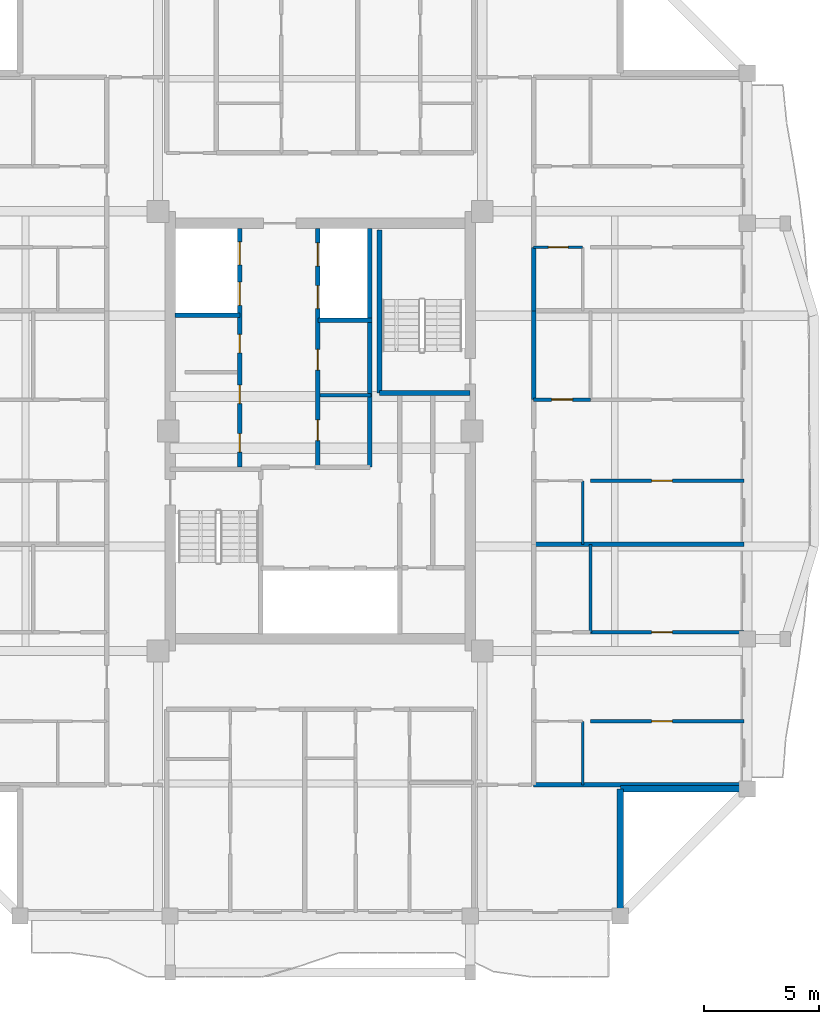
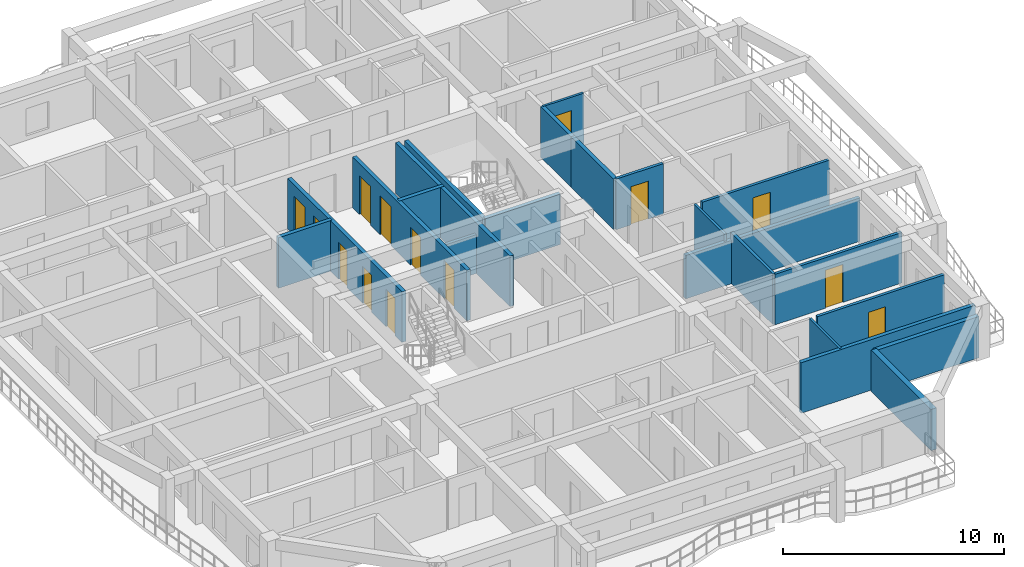
# One storey, part 5 of 14: 23 walls, 14 doors, 14 openings.
"""IFC4 building model written with IfcOpenShell, lengths in metres."""

from ifc_helpers import new_model, si_unit, direction, frame, frame_2d, origin, place, context, subcontext, project, spatial, rectangle, extrude, source, transform, mapped, material, layer, layer_set, type_object, element, fill, save


model = new_model("IFC4")

# Units and contexts
model_context = context("Model", 3, precision=1e-05, world=origin(), true_north=direction((0.0, 1.0)))
body_context = subcontext(model_context, "Body", "Model", "MODEL_VIEW")
ifc_project = project(units=[si_unit("LENGTHUNIT", "METRE"), si_unit("AREAUNIT", "SQUARE_METRE"), si_unit("VOLUMEUNIT", "CUBIC_METRE"), si_unit("PLANEANGLEUNIT", "RADIAN"), si_unit("MASSUNIT", "GRAM", prefix="KILO")], contexts=[model_context])

# Site, building, storey
site_placement = place(None, origin())
site = spatial("IfcSite", under=ifc_project, at=site_placement, CompositionType="ELEMENT")
building_placement = place(site_placement, origin())
building = spatial("IfcBuilding", under=site, at=building_placement, Name="Saelheon Loggia Tower", CompositionType="ELEMENT")
storey_placement = place(building_placement, frame((0.0, 0.0, 213.300048828125)))
storey = spatial("IfcBuildingStorey", under=building, at=storey_placement, Name="L66", CompositionType="ELEMENT", Elevation=213.300048828125)

# Walls
ifc_material_1 = material(Name="Architectural Precast Concrete C40/50", Category="concrete")
ifc_layer_1 = layer(ifc_material_1, 0.280029296875)
ifc_layer_set_1 = layer_set([ifc_layer_1], Name="Architectural Precast Concrete C40/50")
wall_type_1 = type_object("IfcWallType", Name="Wall_Ext_Loggia_280", PredefinedType="SOLIDWALL", material=ifc_layer_set_1)
for number, where, z_axis, x_axis, name in (
    (1, (51.0, 6.080078125, 0.0), (0.0, 0.0, 1.0), (0.0, 1.0, 0.0), "L66 Corner Notch Precast Wall SE1"),
    (2, (51.0, 11.5, 0.0), (0.0, 0.0, 1.0), (1.0, 0.0, 0.0), "L66 Corner Notch Precast Wall SE2"),
):
    element("IfcWall", number, at=place(storey_placement, frame(where, z_axis=z_axis, x_axis=x_axis)), inside=storey, type_object=wall_type_1, Name=name, PredefinedType="SOLIDWALL", context=body_context, shape_type="SweptSolid", body=[
        extrude(rectangle(XDim=5.419921875, YDim=0.280029296875, at=frame_2d((2.7099609375, 0.0))), origin(), (0.0, 0.0, 1.0), 2.280029296875),
    ])
ifc_material_2 = material(Name="Lightweight Autoclaved Aerated Concrete Block and Acoustic Gypsum", Category="concrete")
ifc_layer_2 = layer(ifc_material_2, 0.14990234375)
ifc_layer_set_2 = layer_set([ifc_layer_2], Name="Lightweight Autoclaved Aerated Concrete Block and Acoustic Gypsum")
wall_type_2 = type_object("IfcWallType", Name="Wall_Part_150", PredefinedType="PARTITIONING", material=ifc_layer_set_2)
wall_1_placement = place(storey_placement, frame((38.0, 28.550048828125, 0.0), z_axis=(0.0, 0.0, 1.0), x_axis=(1.0, 0.0, 0.0)))
element("IfcWall", 3, at=wall_1_placement, inside=storey, type_object=wall_type_2, Name="L66 Freed Core Partition PM", PredefinedType="PARTITIONING", context=body_context, shape_type="SweptSolid", body=[
    extrude(rectangle(XDim=2.199951171875, YDim=0.14990234375, at=frame_2d((1.10009765625, 0.0))), origin(), (0.0, 0.0, 1.0), 2.139892578125),
])
wall_2_placement = place(storey_placement, frame((49.7099609375, 18.280029296875, 0.0), z_axis=(0.0, 0.0, 1.0), x_axis=(0.0, 1.0, 0.0)))
element("IfcWall", 4, at=wall_2_placement, inside=storey, type_object=wall_type_2, Name="L66 E Partition V07", PredefinedType="PARTITIONING", context=body_context, shape_type="SweptSolid", body=[
    extrude(rectangle(XDim=3.817626953125, YDim=0.14990234375, at=frame_2d((1.90869140625, 0.0))), origin(), (0.0, 0.0, 1.0), 2.7900390625),
])

# Wall, opening, door
wall_3_placement = place(storey_placement, frame((49.7099609375, 14.429931640625, 0.0), z_axis=(0.0, 0.0, 1.0), x_axis=(1.0, 0.0, 0.0)))
wall_3 = element("IfcWall", 5, at=wall_3_placement, inside=storey, type_object=wall_type_2, Name="L66 E Partition U09", PredefinedType="PARTITIONING", context=body_context, shape_type="SweptSolid", body=[
    extrude(rectangle(XDim=6.64013671875, YDim=0.14990234375, at=frame_2d((3.320068359375, 0.0))), origin(), (0.0, 0.0, 1.0), 2.7900390625),
])
opening_1_placement = place(wall_3_placement, frame((2.65087890625, 0.0, 0.0)))
opening_1 = element("IfcOpeningElement", 6, at=opening_1_placement, cuts=wall_3, Name="Opening D-IN2", PredefinedType="OPENING", context=body_context, shape_type="SweptSolid", body=[
    extrude(rectangle(XDim=0.89990234375, YDim=2.10009765625, at=frame_2d((0.449951171875, 1.050048828125))), frame((0.0, 0.0869140625, 0.0), z_axis=(0.0, -1.0, 0.0), x_axis=(1.0, 0.0, 0.0)), (0.0, 0.0, 1.0), 0.173828125),
])
ifc_material_3 = material(Name="Engineered Oak Flush Door", Category="timber")
door_type_1 = type_object("IfcDoorType", Name="Door_Int_900", OperationType="NOTDEFINED", PredefinedType="DOOR", material=ifc_material_3)
shared_shape_1 = source(origin(), body_context, "Body", "SweptSolid", [
    extrude(rectangle(XDim=0.89990234375, YDim=2.10009765625, at=frame_2d((0.449951171875, 1.050048828125))), frame((0.0, 0.02490234375, 0.0), z_axis=(0.0, -1.0, 0.0), x_axis=(1.0, 0.0, 0.0)), (0.0, 0.0, 1.0), 0.050048828125),
])
door_1_placement = place(opening_1_placement, origin())
door_1 = element("IfcDoor", 7, at=door_1_placement, inside=storey, type_object=door_type_1, Name="Unit U08 Kitchen Door", OperationType="SINGLE_SWING_LEFT", OverallHeight=2.10009765625, OverallWidth=0.89990234375, PredefinedType="DOOR", context=body_context, shape_type="MappedRepresentation", body=[
    mapped(shared_shape_1, transform((0.0, 0.0, 0.0), scale=1.0)),
])
fill(opening_1, door_1)

wall_4_placement = place(storey_placement, frame((49.7099609375, 18.280029296875, 0.0), z_axis=(0.0, 0.0, 1.0), x_axis=(1.0, 0.0, 0.0)))
wall_4 = element("IfcWall", 8, at=wall_4_placement, inside=storey, type_object=wall_type_2, Name="L66 E Partition U11", PredefinedType="PARTITIONING", context=body_context, shape_type="SweptSolid", body=[
    extrude(rectangle(XDim=6.64013671875, YDim=0.14990234375, at=frame_2d((3.320068359375, 0.0))), origin(), (0.0, 0.0, 1.0), 2.7900390625),
])
opening_2_placement = place(wall_4_placement, frame((2.65087890625, 0.0, 0.0)))
opening_2 = element("IfcOpeningElement", 9, at=opening_2_placement, cuts=wall_4, Name="Opening D-IN2", PredefinedType="OPENING", context=body_context, shape_type="SweptSolid", body=[
    extrude(rectangle(XDim=0.89990234375, YDim=2.10009765625, at=frame_2d((0.449951171875, 1.050048828125))), frame((0.0, 0.0869140625, 0.0), z_axis=(0.0, -1.0, 0.0), x_axis=(1.0, 0.0, 0.0)), (0.0, 0.0, 1.0), 0.173828125),
])
door_2_placement = place(opening_2_placement, origin())
door_2 = element("IfcDoor", 10, at=door_2_placement, inside=storey, type_object=door_type_1, Name="Unit U08 Bedroom 1 Door", OperationType="SINGLE_SWING_LEFT", OverallHeight=2.10009765625, OverallWidth=0.89990234375, PredefinedType="DOOR", context=body_context, shape_type="MappedRepresentation", body=[
    mapped(shared_shape_1, transform((0.0, 0.0, 0.0), scale=1.0)),
])
fill(opening_2, door_2)

wall_5_placement = place(storey_placement, frame((49.7099609375, 24.84765625, 0.0), z_axis=(0.0, 0.0, 1.0), x_axis=(1.0, 0.0, 0.0)))
wall_5 = element("IfcWall", 11, at=wall_5_placement, inside=storey, type_object=wall_type_2, Name="L66 E Partition U19", PredefinedType="PARTITIONING", context=body_context, shape_type="SweptSolid", body=[
    extrude(rectangle(XDim=6.64013671875, YDim=0.14990234375, at=frame_2d((3.320068359375, 0.0))), origin(), (0.0, 0.0, 1.0), 2.7900390625),
])
opening_3_placement = place(wall_5_placement, frame((2.65087890625, 0.0, 0.0)))
opening_3 = element("IfcOpeningElement", 12, at=opening_3_placement, cuts=wall_5, Name="Opening D-IN2", PredefinedType="OPENING", context=body_context, shape_type="SweptSolid", body=[
    extrude(rectangle(XDim=0.89990234375, YDim=2.10009765625, at=frame_2d((0.449951171875, 1.050048828125))), frame((0.0, 0.0869140625, 0.0), z_axis=(0.0, -1.0, 0.0), x_axis=(1.0, 0.0, 0.0)), (0.0, 0.0, 1.0), 0.173828125),
])
door_3_placement = place(opening_3_placement, origin())
door_3 = element("IfcDoor", 13, at=door_3_placement, inside=storey, type_object=door_type_1, Name="Unit U09 Kitchen Door", OperationType="SINGLE_SWING_RIGHT", OverallHeight=2.10009765625, OverallWidth=0.89990234375, PredefinedType="DOOR", context=body_context, shape_type="MappedRepresentation", body=[
    mapped(shared_shape_1, transform((0.0, 0.0, 0.0), scale=1.0)),
])
fill(opening_3, door_3)

wall_6_placement = place(storey_placement, frame((47.25, 28.366455078125, 0.0), z_axis=(0.0, 0.0, 1.0), x_axis=(1.0, 0.0, 0.0)))
wall_6 = element("IfcWall", 14, at=wall_6_placement, inside=storey, type_object=wall_type_2, Name="L66 E Partition U20", PredefinedType="PARTITIONING", context=body_context, shape_type="SweptSolid", body=[
    extrude(rectangle(XDim=2.4599609375, YDim=0.14990234375, at=frame_2d((1.22998046875, 0.0))), origin(), (0.0, 0.0, 1.0), 2.7900390625),
])
opening_4_placement = place(wall_6_placement, frame((0.780029296875, 0.0, 0.0)))
opening_4 = element("IfcOpeningElement", 15, at=opening_4_placement, cuts=wall_6, Name="Opening D-IN2", PredefinedType="OPENING", context=body_context, shape_type="SweptSolid", body=[
    extrude(rectangle(XDim=0.89990234375, YDim=2.10009765625, at=frame_2d((0.449951171875, 1.050048828125))), frame((0.0, 0.0869140625, 0.0), z_axis=(0.0, -1.0, 0.0), x_axis=(1.0, 0.0, 0.0)), (0.0, 0.0, 1.0), 0.173828125),
])
door_4_placement = place(opening_4_placement, origin())
door_4 = element("IfcDoor", 16, at=door_4_placement, inside=storey, type_object=door_type_1, Name="Unit U09 Dressing Closet Door", OperationType="SINGLE_SWING_LEFT", OverallHeight=2.10009765625, OverallWidth=0.89990234375, PredefinedType="DOOR", context=body_context, shape_type="MappedRepresentation", body=[
    mapped(shared_shape_1, transform((0.0, 0.0, 0.0), scale=1.0)),
])
fill(opening_4, door_4)

# Walls
ifc_material_4 = material(Name="Double Acoustic Stud and Fireboard Partition", Category="gypsum")
ifc_layer_3 = layer(ifc_material_4, 0.199951171875)
ifc_layer_set_3 = layer_set([ifc_layer_3], Name="Double Acoustic Stud and Fireboard Partition")
wall_type_3 = type_object("IfcWallType", Name="Wall_Party_200", PredefinedType="PARTITIONING", material=ifc_layer_set_3)
wall_7_placement = place(storey_placement, frame((47.25, 11.679931640625, 0.0), z_axis=(0.0, 0.0, 1.0), x_axis=(1.0, 0.0, 0.0)))
element("IfcWall", 17, at=wall_7_placement, inside=storey, type_object=wall_type_3, Name="L66 E Partition U01", PredefinedType="PARTITIONING", context=body_context, shape_type="SweptSolid", body=[
    extrude(rectangle(XDim=9.10009765625, YDim=0.199951171875, at=frame_2d((4.550048828125, 0.0))), origin(), (0.0, 0.0, 1.0), 2.7900390625),
])
wall_8_placement = place(storey_placement, frame((47.25, 22.09765625, 0.0), z_axis=(0.0, 0.0, 1.0), x_axis=(1.0, 0.0, 0.0)))
element("IfcWall", 18, at=wall_8_placement, inside=storey, type_object=wall_type_3, Name="L66 E Partition U12", PredefinedType="PARTITIONING", context=body_context, shape_type="SweptSolid", body=[
    extrude(rectangle(XDim=9.10009765625, YDim=0.199951171875, at=frame_2d((4.550048828125, 0.0))), origin(), (0.0, 0.0, 1.0), 2.389892578125),
])
wall_9_placement = place(storey_placement, frame((47.25, 28.366455078125, 0.0), z_axis=(0.0, 0.0, 1.0), x_axis=(0.0, 1.0, 0.0)))
element("IfcWall", 19, at=wall_9_placement, inside=storey, type_object=wall_type_3, Name="L66 E Partition V15", PredefinedType="PARTITIONING", context=body_context, shape_type="SweptSolid", body=[
    extrude(rectangle(XDim=3.84228515625, YDim=0.199951171875, at=frame_2d((1.921142578125, 0.0))), origin(), (0.0, 0.0, 1.0), 2.7900390625),
])
wall_10_placement = place(storey_placement, frame((47.25, 32.208740234375, 0.0), z_axis=(0.0, 0.0, 1.0), x_axis=(0.0, 1.0, 0.0)))
element("IfcWall", 20, at=wall_10_placement, inside=storey, type_object=wall_type_3, Name="L66 E Partition V23", PredefinedType="PARTITIONING", context=body_context, shape_type="SweptSolid", body=[
    extrude(rectangle(XDim=2.75, YDim=0.199951171875, at=frame_2d((1.375, 0.0))), origin(), (0.0, 0.0, 1.0), 2.7900390625),
])
ifc_material_5 = material(Name="Concrete C40/50", Category="concrete")
ifc_layer_4 = layer(ifc_material_5, 0.199951171875)
ifc_layer_set_4 = layer_set([ifc_layer_4], Name="Concrete C40/50")
wall_type_4 = type_object("IfcWallType", Name="Wall_Shaft_200", PredefinedType="PARTITIONING", material=ifc_layer_set_4)
wall_11_placement = place(storey_placement, frame((40.14990234375, 25.43994140625, 0.0), z_axis=(0.0, 0.0, 1.0), x_axis=(0.0, 1.0, 0.0)))
element("IfcWall", 21, at=wall_11_placement, inside=storey, type_object=wall_type_4, Name="L66 Core Service Passage West Wall", PredefinedType="PARTITIONING", context=body_context, shape_type="SweptSolid", body=[
    extrude(rectangle(XDim=6.360107421875, YDim=0.199951171875, at=frame_2d((3.18017578125, 0.0))), origin(), (0.0, 0.0, 1.0), 2.7900390625),
])
wall_12_placement = place(storey_placement, frame((40.14990234375, 31.800048828125, 0.0), z_axis=(0.0, 0.0, 1.0), x_axis=(0.0, 1.0, 0.0)))
element("IfcWall", 22, at=wall_12_placement, inside=storey, type_object=wall_type_4, Name="L66 East High-Rise Hoistway East Wall", PredefinedType="PARTITIONING", context=body_context, shape_type="SweptSolid", body=[
    extrude(rectangle(XDim=3.97998046875, YDim=0.199951171875, at=frame_2d((1.989990234375, 0.0))), origin(), (0.0, 0.0, 1.0), 2.7900390625),
])

# Wall, openings, doors
wall_13_placement = place(storey_placement, frame((34.52001953125, 25.43994140625, 0.0), z_axis=(0.0, 0.0, 1.0), x_axis=(0.0, 1.0, 0.0)))
wall_13 = element("IfcWall", 23, at=wall_13_placement, inside=storey, type_object=wall_type_4, Name="L66 West Passenger Lift Bank Wall", PredefinedType="PARTITIONING", context=body_context, shape_type="SweptSolid", body=[
    extrude(rectangle(XDim=10.340087890625, YDim=0.199951171875, at=frame_2d((5.169921875, 0.0))), origin(), (0.0, 0.0, 1.0), 2.7900390625),
])
opening_5_placement = place(wall_13_placement, frame((0.64990234375, 0.0, 0.0)))
opening_5 = element("IfcOpeningElement", 24, at=opening_5_placement, cuts=wall_13, Name="Opening D-ST1", PredefinedType="OPENING", context=body_context, shape_type="SweptSolid", body=[
    extrude(rectangle(XDim=0.800048828125, YDim=2.050048828125, at=frame_2d((0.39990234375, 1.02490234375))), frame((0.0, 0.112060546875, 0.0), z_axis=(0.0, -1.0, 0.0), x_axis=(1.0, 0.0, 0.0)), (0.0, 0.0, 1.0), 0.223876953125),
])
opening_6_placement = place(wall_13_placement, frame((2.75, 0.0, 0.0)))
opening_6 = element("IfcOpeningElement", 25, at=opening_6_placement, cuts=wall_13, Name="Opening D-ST1", PredefinedType="OPENING", context=body_context, shape_type="SweptSolid", body=[
    extrude(rectangle(XDim=0.800048828125, YDim=2.050048828125, at=frame_2d((0.39990234375, 1.02490234375))), frame((0.0, 0.112060546875, 0.0), z_axis=(0.0, -1.0, 0.0), x_axis=(1.0, 0.0, 0.0)), (0.0, 0.0, 1.0), 0.223876953125),
])
opening_7_placement = place(wall_13_placement, frame((4.949951171875, 0.0, 0.0)))
opening_7 = element("IfcOpeningElement", 26, at=opening_7_placement, cuts=wall_13, Name="Opening D-ST1", PredefinedType="OPENING", context=body_context, shape_type="SweptSolid", body=[
    extrude(rectangle(XDim=0.800048828125, YDim=2.050048828125, at=frame_2d((0.39990234375, 1.02490234375))), frame((0.0, 0.112060546875, 0.0), z_axis=(0.0, -1.0, 0.0), x_axis=(1.0, 0.0, 0.0)), (0.0, 0.0, 1.0), 0.223876953125),
])
opening_8_placement = place(wall_13_placement, frame((7.010009765625, 0.0, 0.0)))
opening_8 = element("IfcOpeningElement", 27, at=opening_8_placement, cuts=wall_13, Name="Opening LD1", PredefinedType="OPENING", context=body_context, shape_type="SweptSolid", body=[
    extrude(rectangle(XDim=1.0, YDim=2.14990234375, at=frame_2d((0.5, 1.074951171875))), frame((0.0, 0.112060546875, 0.0), z_axis=(0.0, -1.0, 0.0), x_axis=(1.0, 0.0, 0.0)), (0.0, 0.0, 1.0), 0.223876953125),
])
opening_9_placement = place(wall_13_placement, frame((8.760009765625, 0.0, 0.0)))
opening_9 = element("IfcOpeningElement", 28, at=opening_9_placement, cuts=wall_13, Name="Opening LD1", PredefinedType="OPENING", context=body_context, shape_type="SweptSolid", body=[
    extrude(rectangle(XDim=1.0, YDim=2.14990234375, at=frame_2d((0.5, 1.074951171875))), frame((0.0, 0.112060546875, 0.0), z_axis=(0.0, -1.0, 0.0), x_axis=(1.0, 0.0, 0.0)), (0.0, 0.0, 1.0), 0.223876953125),
])
ifc_material_6 = material(Name="Brushed Stainless Steel 304 Landing Door", Category="steel")
door_type_2 = type_object("IfcDoorType", Name="Door_Lift_LD1", OperationType="DOUBLE_DOOR_SLIDING", PredefinedType="DOOR", material=ifc_material_6)
shared_shape_2 = source(origin(), body_context, "Body", "SweptSolid", [
    extrude(rectangle(XDim=1.0, YDim=2.14990234375, at=frame_2d((0.5, 1.074951171875))), frame((0.0, 0.02490234375, 0.0), z_axis=(0.0, -1.0, 0.0), x_axis=(1.0, 0.0, 0.0)), (0.0, 0.0, 1.0), 0.050048828125),
])
door_5_placement = place(opening_8_placement, origin())
door_5 = element("IfcDoor", 29, at=door_5_placement, inside=storey, type_object=door_type_2, Name="L66 PH1 Landing Door", OperationType="DOUBLE_DOOR_SLIDING", OverallHeight=2.14990234375, OverallWidth=1.0, PredefinedType="DOOR", context=body_context, shape_type="MappedRepresentation", body=[
    mapped(shared_shape_2, transform((0.0, 0.0, 0.0), scale=1.0)),
])
fill(opening_8, door_5)
door_6_placement = place(opening_9_placement, origin())
door_6 = element("IfcDoor", 30, at=door_6_placement, inside=storey, type_object=door_type_2, Name="L66 PH2 Landing Door", OperationType="DOUBLE_DOOR_SLIDING", OverallHeight=2.14990234375, OverallWidth=1.0, PredefinedType="DOOR", context=body_context, shape_type="MappedRepresentation", body=[
    mapped(shared_shape_2, transform((0.0, 0.0, 0.0), scale=1.0)),
])
fill(opening_9, door_6)
ifc_material_7 = material(Name="Powder-Coated Steel Store Door", Category="steel")
door_type_3 = type_object("IfcDoorType", Name="Door_Store_800", OperationType="NOTDEFINED", PredefinedType="DOOR", material=ifc_material_7)
shared_shape_3 = source(origin(), body_context, "Body", "SweptSolid", [
    extrude(rectangle(XDim=0.800048828125, YDim=2.050048828125, at=frame_2d((0.39990234375, 1.02490234375))), frame((0.0, 0.02490234375, 0.0), z_axis=(0.0, -1.0, 0.0), x_axis=(1.0, 0.0, 0.0)), (0.0, 0.0, 1.0), 0.050048828125),
])
door_7_placement = place(opening_5_placement, origin())
door_7 = element("IfcDoor", 31, at=door_7_placement, inside=storey, type_object=door_type_3, Name="L66 Telecom Store Door", OperationType="SINGLE_SWING_RIGHT", OverallHeight=2.050048828125, OverallWidth=0.800048828125, PredefinedType="DOOR", context=body_context, shape_type="MappedRepresentation", body=[
    mapped(shared_shape_3, transform((0.0, 0.0, 0.0), scale=1.0)),
])
fill(opening_5, door_7)
door_8_placement = place(opening_6_placement, origin())
door_8 = element("IfcDoor", 32, at=door_8_placement, inside=storey, type_object=door_type_3, Name="L66 Linen Closet Door", OperationType="SINGLE_SWING_LEFT", OverallHeight=2.050048828125, OverallWidth=0.800048828125, PredefinedType="DOOR", context=body_context, shape_type="MappedRepresentation", body=[
    mapped(shared_shape_3, transform((0.0, 0.0, 0.0), scale=1.0)),
])
fill(opening_6, door_8)
door_9_placement = place(opening_7_placement, origin())
door_9 = element("IfcDoor", 33, at=door_9_placement, inside=storey, type_object=door_type_3, Name="L66 Metering Store Door", OperationType="SINGLE_SWING_RIGHT", OverallHeight=2.050048828125, OverallWidth=0.800048828125, PredefinedType="DOOR", context=body_context, shape_type="MappedRepresentation", body=[
    mapped(shared_shape_3, transform((0.0, 0.0, 0.0), scale=1.0)),
])
fill(opening_7, door_9)

# Wall
wall_14_placement = place(storey_placement, frame((31.719970703125, 32.02001953125, 0.0), z_axis=(0.0, 0.0, 1.0), x_axis=(1.0, 0.0, 0.0)))
element("IfcWall", 34, at=wall_14_placement, inside=storey, type_object=wall_type_4, Name="L66 West High-Rise Shaft Divider", PredefinedType="PARTITIONING", context=body_context, shape_type="SweptSolid", body=[
    extrude(rectangle(XDim=2.800048828125, YDim=0.199951171875, at=frame_2d((1.39990234375, 0.0))), origin(), (0.0, 0.0, 1.0), 2.7900390625),
])

# Wall, openings, doors
wall_15_placement = place(storey_placement, frame((37.89990234375, 25.43994140625, 0.0), z_axis=(0.0, 0.0, 1.0), x_axis=(0.0, 1.0, 0.0)))
wall_15 = element("IfcWall", 35, at=wall_15_placement, inside=storey, type_object=wall_type_4, Name="L66 East Passenger Lift Bank Wall", PredefinedType="PARTITIONING", context=body_context, shape_type="SweptSolid", body=[
    extrude(rectangle(XDim=10.340087890625, YDim=0.199951171875, at=frame_2d((5.169921875, 0.0))), origin(), (0.0, 0.0, 1.0), 2.7900390625),
])
opening_10_placement = place(wall_15_placement, frame((1.14990234375, 0.0, 0.0)))
opening_10 = element("IfcOpeningElement", 36, at=opening_10_placement, cuts=wall_15, Name="Opening D-RS1", PredefinedType="OPENING", context=body_context, shape_type="SweptSolid", body=[
    extrude(rectangle(XDim=0.89990234375, YDim=2.10009765625, at=frame_2d((0.449951171875, 1.050048828125))), frame((0.0, 0.112060546875, 0.0), z_axis=(0.0, -1.0, 0.0), x_axis=(1.0, 0.0, 0.0)), (0.0, 0.0, 1.0), 0.223876953125),
])
opening_11_placement = place(wall_15_placement, frame((4.199951171875, 0.0, 0.0)))
opening_11 = element("IfcOpeningElement", 37, at=opening_11_placement, cuts=wall_15, Name="Opening D-RS1", PredefinedType="OPENING", context=body_context, shape_type="SweptSolid", body=[
    extrude(rectangle(XDim=0.89990234375, YDim=2.10009765625, at=frame_2d((0.449951171875, 1.050048828125))), frame((0.0, 0.112060546875, 0.0), z_axis=(0.0, -1.0, 0.0), x_axis=(1.0, 0.0, 0.0)), (0.0, 0.0, 1.0), 0.223876953125),
])
opening_12_placement = place(wall_15_placement, frame((6.860107421875, 0.0, 0.0)))
opening_12 = element("IfcOpeningElement", 38, at=opening_12_placement, cuts=wall_15, Name="Opening LD1", PredefinedType="OPENING", context=body_context, shape_type="SweptSolid", body=[
    extrude(rectangle(XDim=1.0, YDim=2.14990234375, at=frame_2d((0.5, 1.074951171875))), frame((0.0, 0.112060546875, 0.0), z_axis=(0.0, -1.0, 0.0), x_axis=(1.0, 0.0, 0.0)), (0.0, 0.0, 1.0), 0.223876953125),
])
opening_13_placement = place(wall_15_placement, frame((8.7099609375, 0.0, 0.0)))
opening_13 = element("IfcOpeningElement", 39, at=opening_13_placement, cuts=wall_15, Name="Opening LD1", PredefinedType="OPENING", context=body_context, shape_type="SweptSolid", body=[
    extrude(rectangle(XDim=1.0, YDim=2.14990234375, at=frame_2d((0.5, 1.074951171875))), frame((0.0, 0.112060546875, 0.0), z_axis=(0.0, -1.0, 0.0), x_axis=(1.0, 0.0, 0.0)), (0.0, 0.0, 1.0), 0.223876953125),
])
ifc_material_8 = material(Name="Galvanised Steel Riser Access Door", Category="steel")
door_type_4 = type_object("IfcDoorType", Name="Door_Riser_FD60", OperationType="NOTDEFINED", PredefinedType="DOOR", material=ifc_material_8)
door_10_placement = place(opening_10_placement, origin())
door_10 = element("IfcDoor", 40, at=door_10_placement, inside=storey, type_object=door_type_4, Name="L66 Upper Housekeeping Door", OperationType="SINGLE_SWING_LEFT", OverallHeight=2.10009765625, OverallWidth=0.89990234375, PredefinedType="DOOR", context=body_context, shape_type="MappedRepresentation", body=[
    mapped(shared_shape_1, transform((0.0, 0.0, 0.0), scale=1.0)),
])
fill(opening_10, door_10)
door_11_placement = place(opening_11_placement, origin())
door_11 = element("IfcDoor", 41, at=door_11_placement, inside=storey, type_object=door_type_4, Name="L66 Upper Pantry Door", OperationType="SINGLE_SWING_RIGHT", OverallHeight=2.10009765625, OverallWidth=0.89990234375, PredefinedType="DOOR", context=body_context, shape_type="MappedRepresentation", body=[
    mapped(shared_shape_1, transform((0.0, 0.0, 0.0), scale=1.0)),
])
fill(opening_11, door_11)
door_12_placement = place(opening_12_placement, origin())
door_12 = element("IfcDoor", 42, at=door_12_placement, inside=storey, type_object=door_type_2, Name="L66 PH3 Landing Door", OperationType="DOUBLE_DOOR_SLIDING", OverallHeight=2.14990234375, OverallWidth=1.0, PredefinedType="DOOR", context=body_context, shape_type="MappedRepresentation", body=[
    mapped(shared_shape_2, transform((0.0, 0.0, 0.0), scale=1.0)),
])
fill(opening_12, door_12)
door_13_placement = place(opening_13_placement, origin())
door_13 = element("IfcDoor", 43, at=door_13_placement, inside=storey, type_object=door_type_2, Name="L66 PH4 Landing Door", OperationType="DOUBLE_DOOR_SLIDING", OverallHeight=2.14990234375, OverallWidth=1.0, PredefinedType="DOOR", context=body_context, shape_type="MappedRepresentation", body=[
    mapped(shared_shape_2, transform((0.0, 0.0, 0.0), scale=1.0)),
])
fill(opening_13, door_13)

# Walls
wall_16_placement = place(storey_placement, frame((37.89990234375, 31.800048828125, 0.0), z_axis=(0.0, 0.0, 1.0), x_axis=(1.0, 0.0, 0.0)))
element("IfcWall", 44, at=wall_16_placement, inside=storey, type_object=wall_type_4, Name="L66 East High-Rise Shaft Divider", PredefinedType="PARTITIONING", context=body_context, shape_type="SweptSolid", body=[
    extrude(rectangle(XDim=2.35009765625, YDim=0.199951171875, at=frame_2d((1.175048828125, 0.0))), origin(), (0.0, 0.0, 1.0), 2.7900390625),
])
ifc_material_9 = material(Name="Concrete C45/55", Category="concrete")
ifc_layer_5 = layer(ifc_material_9, 0.199951171875)
ifc_layer_set_5 = layer_set([ifc_layer_5], Name="Concrete C45/55")
wall_type_5 = type_object("IfcWallType", Name="Wall_StairShaft_RC200", PredefinedType="SOLIDWALL", material=ifc_layer_set_5)
wall_17_placement = place(storey_placement, frame((40.570068359375, 28.64990234375, 0.0), z_axis=(0.0, 0.0, 1.0), x_axis=(0.0, 1.0, 0.0)))
element("IfcWall", 45, at=wall_17_placement, inside=storey, type_object=wall_type_5, Name="L66 Stair ST2 Shaft Wall", PredefinedType="SOLIDWALL", context=body_context, shape_type="SweptSolid", body=[
    extrude(rectangle(XDim=7.050048828125, YDim=0.199951171875, at=frame_2d((3.52490234375, 0.0))), origin(), (0.0, 0.0, 1.0), 2.7900390625),
])
wall_18_placement = place(storey_placement, frame((40.570068359375, 28.64990234375, 0.0), z_axis=(0.0, 0.0, 1.0), x_axis=(1.0, 0.0, 0.0)))
element("IfcWall", 46, at=wall_18_placement, inside=storey, type_object=wall_type_5, Name="L66 Stair ST2 South Wall", PredefinedType="SOLIDWALL", context=body_context, shape_type="SweptSolid", body=[
    extrude(rectangle(XDim=3.929931640625, YDim=0.199951171875, at=frame_2d((1.96484375, 0.0))), origin(), (0.0, 0.0, 1.0), 2.7900390625),
])
ifc_material_10 = material(Name="Moisture-Resistant Cement Board Partition", Category="gypsum")
ifc_layer_6 = layer(ifc_material_10, 0.1201171875)
ifc_layer_set_6 = layer_set([ifc_layer_6], Name="Moisture-Resistant Cement Board Partition")
wall_type_6 = type_object("IfcWallType", Name="Wall_WetPart_120", PredefinedType="PARTITIONING", material=ifc_layer_set_6)
for number, where, z_axis, x_axis, name in (
    (47, (49.3701171875, 11.679931640625, 0.0), (0.0, 0.0, 1.0), (0.0, 1.0, 0.0), "L66 E Partition V06"),
    (48, (49.3701171875, 22.09765625, 0.0), (0.0, 0.0, 1.0), (0.0, 1.0, 0.0), "L66 E Partition V16"),
):
    element("IfcWall", number, at=place(storey_placement, frame(where, z_axis=z_axis, x_axis=x_axis)), inside=storey, type_object=wall_type_6, Name=name, PredefinedType="PARTITIONING", context=body_context, shape_type="SweptSolid", body=[
        extrude(rectangle(XDim=2.75, YDim=0.1201171875, at=frame_2d((1.375, 0.0))), origin(), (0.0, 0.0, 1.0), 2.7900390625),
    ])

# Wall, opening, door
wall_19_placement = place(storey_placement, frame((47.25, 34.958740234375, 0.0), z_axis=(0.0, 0.0, 1.0), x_axis=(1.0, 0.0, 0.0)))
wall_19 = element("IfcWall", 49, at=wall_19_placement, inside=storey, type_object=wall_type_6, Name="L66 E Partition U28", PredefinedType="PARTITIONING", context=body_context, shape_type="SweptSolid", body=[
    extrude(rectangle(XDim=2.1201171875, YDim=0.1201171875, at=frame_2d((1.06005859375, 0.0))), origin(), (0.0, 0.0, 1.0), 2.7900390625),
])
opening_14_placement = place(wall_19_placement, frame((0.635009765625, 0.0, 0.0)))
opening_14 = element("IfcOpeningElement", 50, at=opening_14_placement, cuts=wall_19, Name="Opening D-BT1", PredefinedType="OPENING", context=body_context, shape_type="SweptSolid", body=[
    extrude(rectangle(XDim=0.85009765625, YDim=2.050048828125, at=frame_2d((0.425048828125, 1.02490234375))), frame((0.0, 0.072021484375, 0.0), z_axis=(0.0, -1.0, 0.0), x_axis=(1.0, 0.0, 0.0)), (0.0, 0.0, 1.0), 0.14404296875),
])
ifc_material_11 = material(Name="Moisture-Resistant Laminate Timber Door", Category="wood")
door_type_5 = type_object("IfcDoorType", Name="Door_Bath_850", OperationType="NOTDEFINED", PredefinedType="DOOR", material=ifc_material_11)
shared_shape_4 = source(origin(), body_context, "Body", "SweptSolid", [
    extrude(rectangle(XDim=0.85009765625, YDim=2.050048828125, at=frame_2d((0.425048828125, 1.02490234375))), frame((0.0, 0.02490234375, 0.0), z_axis=(0.0, -1.0, 0.0), x_axis=(1.0, 0.0, 0.0)), (0.0, 0.0, 1.0), 0.050048828125),
])
door_14_placement = place(opening_14_placement, origin())
door_14 = element("IfcDoor", 51, at=door_14_placement, inside=storey, type_object=door_type_5, Name="Unit U10 Bathroom Door", OperationType="SINGLE_SWING_RIGHT", OverallHeight=2.050048828125, OverallWidth=0.85009765625, PredefinedType="DOOR", context=body_context, shape_type="MappedRepresentation", body=[
    mapped(shared_shape_4, transform((0.0, 0.0, 0.0), scale=1.0)),
])
fill(opening_14, door_14)

save(model, "model.ifc")
